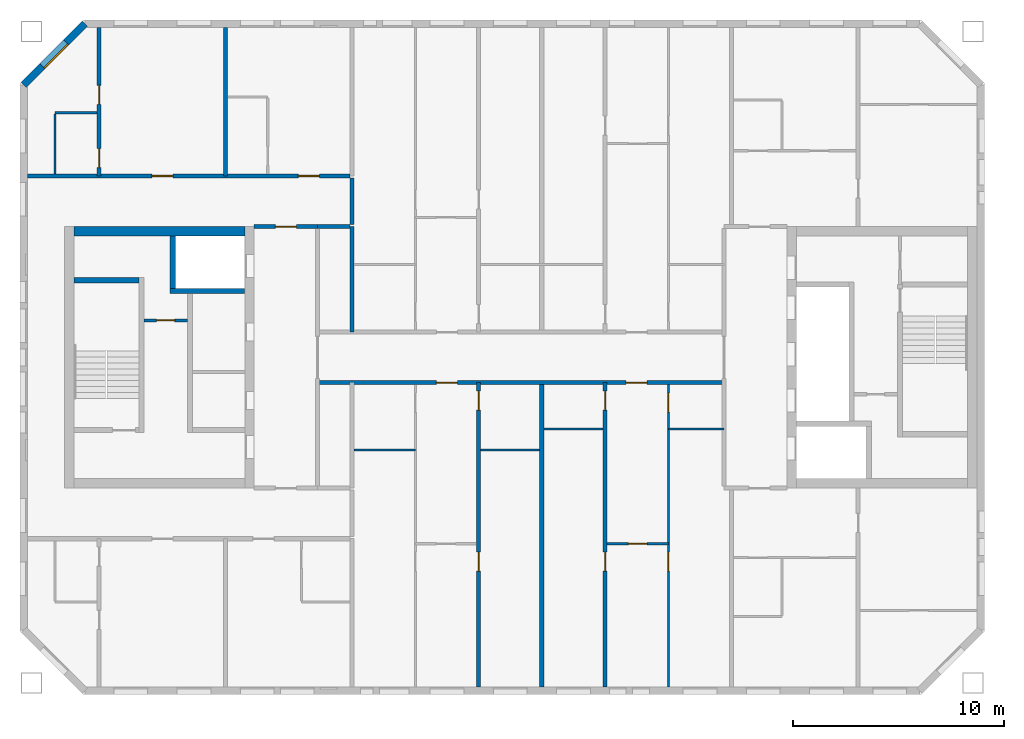
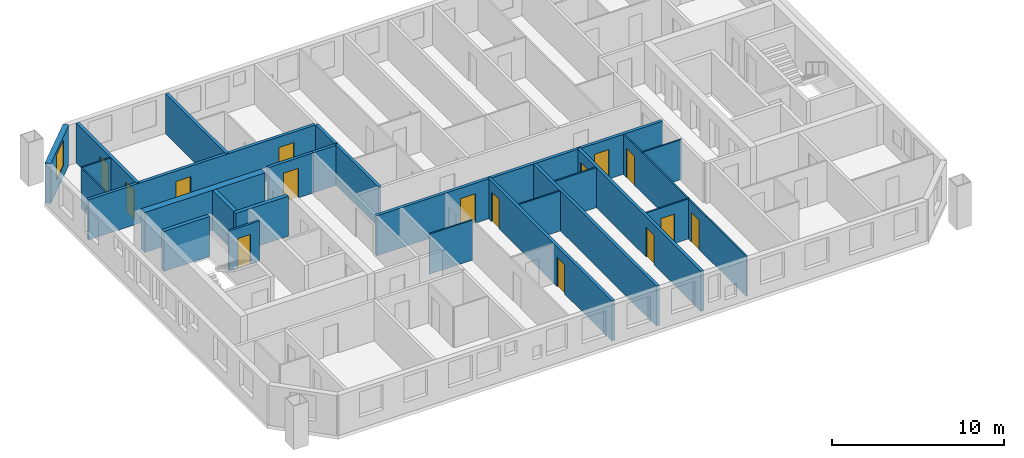
# One storey, part 4 of 15: 25 walls, 15 doors, 1 window, 16 openings.
"""IFC4 building model written with IfcOpenShell, lengths in metres."""

import ifcopenshell
import ifcopenshell.guid

model = None  # the IFC model being written
_history = None  # IfcOwnerHistory: only IFC2X3 demands one
_inside = {}  # id of a spatial element -> (the spatial element, [elements in it])
_under = {}  # id of a project, library or spatial element -> (it, [spatial elements below it])
_declared = {}  # id of a project -> (the project, [libraries it declares])
_typed = {}  # id of a type object -> (the type object, [elements of that type])
_made_of = {}  # id of a material, layer set ... -> (it, [elements and type objects made of it])


def new_model(schema):
    """Start an empty IFC model of exactly this schema.

    Asked for "IFC4X3", IfcOpenShell would pick the latest addendum, in which some entities
    have other attributes; the version numbers below select the first issue.
    IFC2X3 requires an IfcOwnerHistory on every rooted entity: one is made here for all.
    """
    global model, _history
    if schema == "IFC4X3":
        model = ifcopenshell.file(schema_version=(4, 3, 0, 0))
    else:
        model = ifcopenshell.file(schema=schema)
    _inside.clear()
    _under.clear()
    _declared.clear()
    _typed.clear()
    _made_of.clear()
    _history = None
    if model.schema == "IFC2X3":
        org = make("IfcOrganization", Name="unknown")
        user = make(
            "IfcPersonAndOrganization",
            ThePerson=make("IfcPerson", FamilyName="unknown"),
            TheOrganization=org,
        )
        app = make(
            "IfcApplication",
            ApplicationDeveloper=org,
            Version="unknown",
            ApplicationFullName="unknown",
            ApplicationIdentifier="unknown",
        )
        _history = make(
            "IfcOwnerHistory",
            OwningUser=user,
            OwningApplication=app,
            ChangeAction="ADDED",
            CreationDate=0,
        )
    return model


def make(cls, **values):
    """One entity of the class cls with the attributes given. An attribute that is None is left unset."""
    return model.create_entity(
        cls, **{name: value for name, value in values.items() if value is not None}
    )


def rooted(cls, **values):
    """An entity with a GlobalId (a new one), such as an element, a storey or a relation."""
    return make(cls, GlobalId=ifcopenshell.guid.new(), OwnerHistory=_history, **values)


def si_unit(unit_type, name, prefix=None):
    """IfcSIUnit, for example si_unit("LENGTHUNIT", "METRE", prefix="MILLI")."""
    return make("IfcSIUnit", UnitType=unit_type, Prefix=prefix, Name=name)


def assignment(units):
    """IfcUnitAssignment: the units of a project."""
    return None if units is None else make("IfcUnitAssignment", Units=units)


def point(xyz):
    """IfcCartesianPoint."""
    return None if xyz is None else make("IfcCartesianPoint", Coordinates=xyz)


def direction(xyz):
    """IfcDirection."""
    return None if xyz is None else make("IfcDirection", DirectionRatios=xyz)


def frame(location, z_axis=None, x_axis=None):
    """IfcAxis2Placement3D, a coordinate frame: its origin and axes. An axis left out is left unset."""
    return make(
        "IfcAxis2Placement3D",
        Location=point(location),
        Axis=direction(z_axis),
        RefDirection=direction(x_axis),
    )


def frame_2d(location, x_axis=None):
    """IfcAxis2Placement2D, a coordinate frame in the plane: its origin and x axis."""
    return make(
        "IfcAxis2Placement2D", Location=point(location), RefDirection=direction(x_axis)
    )


def origin():
    """The frame at (0, 0, 0) with its axes left unset."""
    return frame((0.0, 0.0, 0.0))


def place(relative_to, where):
    """IfcLocalPlacement: puts the frame where relative to a parent placement (None: the world)."""
    return make(
        "IfcLocalPlacement", PlacementRelTo=relative_to, RelativePlacement=where
    )


def context(
    kind, dimensions, precision=None, world=None, true_north=None, identifier=None
):
    """IfcGeometricRepresentationContext, for example the 3D "Model" context."""
    return make(
        "IfcGeometricRepresentationContext",
        ContextIdentifier=identifier,
        ContextType=kind,
        CoordinateSpaceDimension=dimensions,
        Precision=precision,
        WorldCoordinateSystem=world,
        TrueNorth=true_north,
    )


def subcontext(parent, identifier, kind, view, scale=None):
    """IfcGeometricRepresentationSubContext, for example "Body" below "Model"."""
    return make(
        "IfcGeometricRepresentationSubContext",
        ContextIdentifier=identifier,
        ContextType=kind,
        ParentContext=parent,
        TargetScale=scale,
        TargetView=view,
    )


def project(units=None, contexts=None):
    """IfcProject with its units and contexts."""
    return rooted(
        "IfcProject",
        Name="project",
        RepresentationContexts=contexts,
        UnitsInContext=assignment(units),
    )


def spatial(cls, under=None, at=None, **own):
    """A site, building, storey or space (cls), placed at a placement, below another one or the project."""
    s = rooted(cls, ObjectPlacement=at, **own)
    if under is not None:
        _under.setdefault(under.id(), (under, []))[1].append(s)
    return s


def profile(cls, at=None, kind="AREA", **sizes):
    """A parametric profile (cls). Its sizes go by their IFC names, for example OverallWidth=200.0."""
    return make(cls, ProfileType=kind, Position=at, **sizes)


def rectangle(**sizes):
    """IfcRectangleProfileDef."""
    return profile("IfcRectangleProfileDef", **sizes)


def extrude(swept, where, along, depth):
    """IfcExtrudedAreaSolid: the profile swept, set in the frame where, extruded along a direction by depth."""
    return make(
        "IfcExtrudedAreaSolid",
        SweptArea=swept,
        Position=where,
        ExtrudedDirection=direction(along),
        Depth=depth,
    )


def shape(context_of_items, identifier, shape_type, items):
    """IfcShapeRepresentation: the items that make up one representation, for example the "Body"."""
    return make(
        "IfcShapeRepresentation",
        ContextOfItems=context_of_items,
        RepresentationIdentifier=identifier,
        RepresentationType=shape_type,
        Items=items,
    )


def material(Name=None, Category=None):
    """IfcMaterial."""
    return make("IfcMaterial", Name=Name, Category=Category)


def layer(
    of_material, thickness, ventilated=None, Name=None, Category=None, Priority=None
):
    """IfcMaterialLayer: one layer of a wall or slab, of a material (None: an air gap)."""
    return make(
        "IfcMaterialLayer",
        Material=of_material,
        LayerThickness=thickness,
        IsVentilated=ventilated,
        Name=Name,
        Category=Category,
        Priority=Priority,
    )


def layer_set(layers, Name=None):
    """IfcMaterialLayerSet."""
    return make("IfcMaterialLayerSet", MaterialLayers=layers, LayerSetName=Name)


def made_of(thing, what):
    """Note that an element or type object is made of a material, layer set ...; save() writes the relation."""
    if what is not None:
        _made_of.setdefault(what.id(), (what, []))[1].append(thing)
    return thing


def type_object(cls, material=None, **own):
    """A type object (cls), such as IfcWallType, which elements share."""
    return made_of(rooted(cls, **own), material)


def element(
    cls,
    number,
    at=None,
    inside=None,
    cuts=None,
    type_object=None,
    material=None,
    context=None,
    identifier="Body",
    shape_type=None,
    held_by="IfcProductDefinitionShape",
    body=None,
    shapes=None,
    **own,
):
    """One element of the class cls, such as IfcWall. Its Tag is "e" and its number.

    at: its placement. inside: the storey or other place that contains it. cuts: it is an
    opening in that element (IfcRelVoidsElement). A single representation is given by context,
    identifier, shape_type and body (its items); several are given by shapes. held_by: the class
    of the entity that holds the representations. save() writes the other relations.
    """
    e = rooted(cls, Tag="e%d" % number, ObjectPlacement=at, **own)
    if body is not None:
        shapes = [shape(context, identifier, shape_type, body)]
    if shapes is not None:
        e.Representation = make(held_by, Representations=shapes)
    if inside is not None:
        _inside.setdefault(inside.id(), (inside, []))[1].append(e)
    if cuts is not None:
        rooted(
            "IfcRelVoidsElement", RelatingBuildingElement=cuts, RelatedOpeningElement=e
        )
    if type_object is not None:
        _typed.setdefault(type_object.id(), (type_object, []))[1].append(e)
    return made_of(e, material)


def fill(opening, filler):
    """IfcRelFillsElement: the door or window that sits in an opening."""
    return rooted(
        "IfcRelFillsElement",
        RelatingOpeningElement=opening,
        RelatedBuildingElement=filler,
    )


def aggregate(whole, parts):
    """IfcRelAggregates: a whole, such as a stair, and the parts it consists of."""
    return rooted("IfcRelAggregates", RelatingObject=whole, RelatedObjects=parts)


def save(model, path):
    """Write the relations noted so far, then the file.

    IfcRelAggregates (storeys below a building ...), IfcRelContainedInSpatialStructure (elements
    in a storey), IfcRelDefinesByType, IfcRelAssociatesMaterial and IfcRelDeclares: one each for
    every whole, place, type object, material and project.
    """
    for whole, parts in _under.values():
        aggregate(whole, parts)
    for where, things in _inside.values():
        rooted(
            "IfcRelContainedInSpatialStructure",
            RelatedElements=things,
            RelatingStructure=where,
        )
    for kind, things in _typed.values():
        rooted("IfcRelDefinesByType", RelatedObjects=things, RelatingType=kind)
    for what, things in _made_of.values():
        rooted("IfcRelAssociatesMaterial", RelatedObjects=things, RelatingMaterial=what)
    for by, libraries in _declared.values():
        rooted("IfcRelDeclares", RelatingContext=by, RelatedDefinitions=libraries)
    model.write(path)


model = new_model("IFC4")

# Units and contexts
model_context = context("Model", 3, precision=1e-05, world=origin(), true_north=direction((0.0, 1.0)))
body_context = subcontext(model_context, "Body", "Model", "MODEL_VIEW")
ifc_project = project(units=[si_unit("LENGTHUNIT", "METRE"), si_unit("AREAUNIT", "SQUARE_METRE"), si_unit("VOLUMEUNIT", "CUBIC_METRE"), si_unit("PLANEANGLEUNIT", "RADIAN"), si_unit("MASSUNIT", "GRAM", prefix="KILO")], contexts=[model_context])

# Site, building, storey
site_placement = place(None, origin())
site = spatial("IfcSite", under=ifc_project, at=site_placement, CompositionType="ELEMENT")
building_placement = place(site_placement, origin())
building = spatial("IfcBuilding", under=site, at=building_placement, Name="Tuart Gate Housing", CompositionType="ELEMENT")
storey_placement = place(building_placement, frame((0.0, 0.0, 185.10009765625)))
storey = spatial("IfcBuildingStorey", under=building, at=storey_placement, Name="L52", CompositionType="ELEMENT", Elevation=185.10009765625)

# Wall, opening, window
ifc_material_1 = material(Name="Brick", Category="masonry")
ifc_layer_1 = layer(ifc_material_1, 0.360107421875)
ifc_layer_set_1 = layer_set([ifc_layer_1], Name="Brick pier and spandrel wall 360")
wall_type_1 = type_object("IfcWallType", Name="Brick pier and spandrel wall 360", PredefinedType="STANDARD", material=ifc_layer_set_1)
wall_1_placement = place(storey_placement, frame((33.32470703125, 85.820068359375, 0.0), z_axis=(0.0, 0.0, 1.0), x_axis=(-0.707106781187, -0.707106781187, 0.0)))
wall_1 = element("IfcWall", 1, at=wall_1_placement, inside=storey, type_object=wall_type_1, Name="External wall A-NW L52", PredefinedType="STANDARD", context=body_context, shape_type="SweptSolid", body=[
    extrude(rectangle(XDim=4.09375, YDim=0.360107421875, at=frame_2d((2.046875, 0.0))), origin(), (0.0, 0.0, 1.0), 2.849853515625),
])
opening_1_placement = place(wall_1_placement, frame((1.2470703125, 0.0, 0.800048828125)))
opening_1 = element("IfcOpeningElement", 2, at=opening_1_placement, cuts=wall_1, Name="Opening W1", PredefinedType="OPENING", context=body_context, shape_type="SweptSolid", body=[
    extrude(rectangle(XDim=1.60009765625, YDim=1.800048828125, at=frame_2d((0.800048828125, 0.89990234375))), frame((0.0, 0.18994140625, 0.0), z_axis=(0.0, -1.0, 0.0), x_axis=(1.0, 0.0, 0.0)), (0.0, 0.0, 1.0), 0.380126953125),
])
ifc_material_2 = material(Name="Aluminium frame with clear glass", Category="aluminium")
window_type = type_object("IfcWindowType", Name="Punched window 1600 x 1800", PartitioningType="SINGLE_PANEL", PredefinedType="WINDOW", material=ifc_material_2)
window_placement = place(opening_1_placement, origin())
window = element("IfcWindow", 3, at=window_placement, inside=storey, type_object=window_type, Name="Window W1", OverallHeight=1.800048828125, OverallWidth=1.60009765625, PartitioningType="SINGLE_PANEL", PredefinedType="WINDOW", context=body_context, shape_type="SweptSolid", body=[
    extrude(rectangle(XDim=1.60009765625, YDim=1.800048828125, at=frame_2d((0.800048828125, 0.89990234375))), frame((0.0, 0.150146484375, 0.0), z_axis=(0.0, -1.0, 0.0), x_axis=(1.0, 0.0, 0.0)), (0.0, 0.0, 1.0), 0.06005859375),
])
fill(opening_1, window)

# Wall, opening, door
ifc_material_3 = material(Name="Plasterboard partition")
ifc_layer_2 = layer(ifc_material_3, 0.14990234375)
ifc_layer_set_2 = layer_set([ifc_layer_2], Name="Core partition 150")
wall_type_2 = type_object("IfcWallType", Name="Core partition 150", PredefinedType="PARTITIONING", material=ifc_layer_set_2)
wall_2_placement = place(storey_placement, frame((38.18505859375, 71.75, 0.0), z_axis=(0.0, 0.0, 1.0), x_axis=(-1.0, 0.0, 0.0)))
wall_2 = element("IfcWall", 4, at=wall_2_placement, inside=storey, type_object=wall_type_2, Name="Core partition AK.3", PredefinedType="PARTITIONING", context=body_context, shape_type="SweptSolid", body=[
    extrude(rectangle(XDim=2.050048828125, YDim=0.14990234375, at=frame_2d((1.02490234375, 0.0))), origin(), (0.0, 0.0, 1.0), 2.849853515625),
])
opening_2_placement = place(wall_2_placement, frame((0.60009765625, 0.0, 0.0)))
opening_2 = element("IfcOpeningElement", 5, at=opening_2_placement, cuts=wall_2, Name="Opening D1862", PredefinedType="OPENING", context=body_context, shape_type="SweptSolid", body=[
    extrude(rectangle(XDim=0.85009765625, YDim=2.10009765625, at=frame_2d((0.425048828125, 1.050048828125))), frame((0.0, 0.0849609375, 0.0), z_axis=(0.0, -1.0, 0.0), x_axis=(1.0, 0.0, 0.0)), (0.0, 0.0, 1.0), 0.169921875),
])
ifc_material_4 = material(Name="Steel fire door", Category="steel")
door_type_1 = type_object("IfcDoorType", Name="Riser door 850 x 2100 RH", OperationType="SINGLE_SWING_RIGHT", PredefinedType="DOOR", material=ifc_material_4)
door_1_placement = place(opening_2_placement, frame((0.85009765625, 0.0, 0.0), z_axis=(0.0, 0.0, 1.0), x_axis=(-1.0, 0.0, 0.0)))
door_1 = element("IfcDoor", 6, at=door_1_placement, inside=storey, type_object=door_type_1, Name="Service room door AK.E1", OperationType="SINGLE_SWING_RIGHT", OverallHeight=2.10009765625, OverallWidth=0.85009765625, PredefinedType="DOOR", context=body_context, shape_type="SweptSolid", body=[
    extrude(rectangle(XDim=0.85009765625, YDim=2.10009765625, at=frame_2d((0.425048828125, 1.050048828125))), frame((0.0, 0.025146484375, 0.0), z_axis=(0.0, -1.0, 0.0), x_axis=(1.0, 0.0, 0.0)), (0.0, 0.0, 1.0), 0.050048828125),
])
fill(opening_2, door_1)

# Walls
ifc_material_5 = material(Name="Concrete C40", Category="concrete")
ifc_layer_3 = layer(ifc_material_5, 0.25)
ifc_layer_set_3 = layer_set([ifc_layer_3], Name="Core wall 250 C40")
wall_type_3 = type_object("IfcWallType", Name="Core wall 250 C40", PredefinedType="SHEAR", material=ifc_layer_set_3)
wall_3_placement = place(storey_placement, frame((35.885009765625, 73.64990234375, 0.0), z_axis=(0.0, 0.0, 1.0), x_axis=(-1.0, 0.0, 0.0)))
element("IfcWall", 7, at=wall_3_placement, inside=storey, type_object=wall_type_3, Name="Core wall AK.1", PredefinedType="SHEAR", context=body_context, shape_type="SweptSolid", body=[
    extrude(rectangle(XDim=3.074951171875, YDim=0.25, at=frame_2d((1.53759765625, 0.0))), origin(), (0.0, 0.0, 1.0), 2.849853515625),
])
wall_4_placement = place(storey_placement, frame((40.909912109375, 73.14990234375, 0.0), z_axis=(0.0, 0.0, 1.0), x_axis=(-1.0, 0.0, 0.0)))
element("IfcWall", 8, at=wall_4_placement, inside=storey, type_object=wall_type_3, Name="Core wall AK.2", PredefinedType="SHEAR", context=body_context, shape_type="SweptSolid", body=[
    extrude(rectangle(XDim=3.544921875, YDim=0.25, at=frame_2d((1.7724609375, 0.0))), origin(), (0.0, 0.0, 1.0), 2.849853515625),
])
wall_5_placement = place(storey_placement, frame((37.489990234375, 75.75, 0.0), z_axis=(0.0, 0.0, 1.0), x_axis=(0.0, -1.0, 0.0)))
element("IfcWall", 9, at=wall_5_placement, inside=storey, type_object=wall_type_3, Name="Core wall AK.8", PredefinedType="SHEAR", context=body_context, shape_type="SweptSolid", body=[
    extrude(rectangle(XDim=2.47509765625, YDim=0.25, at=frame_2d((1.237548828125, 0.0))), origin(), (0.0, 0.0, 1.0), 2.849853515625),
])
ifc_material_6 = material(Name="Concrete C40", Category="concrete")
ifc_layer_4 = layer(ifc_material_6, 0.449951171875)
ifc_layer_set_4 = layer_set([ifc_layer_4], Name="Core wall 450 C40")
wall_type_4 = type_object("IfcWallType", Name="Core wall 450 C40", PredefinedType="SHEAR", material=ifc_layer_set_4)
wall_6_placement = place(storey_placement, frame((40.909912109375, 75.97509765625, 0.0), z_axis=(0.0, 0.0, 1.0), x_axis=(-1.0, 0.0, 0.0)))
element("IfcWall", 10, at=wall_6_placement, inside=storey, type_object=wall_type_4, Name="Core wall AK south", PredefinedType="SHEAR", context=body_context, shape_type="SweptSolid", body=[
    extrude(rectangle(XDim=8.099853515625, YDim=0.449951171875, at=frame_2d((4.0498046875, 0.0))), origin(), (0.0, 0.0, 1.0), 2.849853515625),
])

# Wall, openings, doors
ifc_material_7 = material(Name="Concrete masonry 15 MPa", Category="masonry")
ifc_layer_5 = layer(ifc_material_7, 0.199951171875)
ifc_layer_set_5 = layer_set([ifc_layer_5], Name="Corridor wall masonry 200")
wall_type_5 = type_object("IfcWallType", Name="Corridor wall masonry 200", PredefinedType="PARTITIONING", material=ifc_layer_set_5)
wall_7_placement = place(storey_placement, frame((44.360107421875, 68.800048828125, 0.0), z_axis=(0.0, 0.0, 1.0), x_axis=(1.0, 0.0, 0.0)))
wall_7 = element("IfcWall", 11, at=wall_7_placement, inside=storey, type_object=wall_type_5, Name="Corridor wall masonry 200", PredefinedType="PARTITIONING", context=body_context, shape_type="SweptSolid", body=[
    extrude(rectangle(XDim=19.27978515625, YDim=0.199951171875, at=frame_2d((9.639892578125, 0.0))), origin(), (0.0, 0.0, 1.0), 2.849853515625),
])
opening_3_placement = place(wall_7_placement, frame((14.639892578125, 0.0, 0.0)))
opening_3 = element("IfcOpeningElement", 12, at=opening_3_placement, cuts=wall_7, Name="Opening D1872", PredefinedType="OPENING", context=body_context, shape_type="SweptSolid", body=[
    extrude(rectangle(XDim=1.0, YDim=2.10009765625, at=frame_2d((0.5, 1.050048828125))), frame((0.0, 0.10986328125, 0.0), z_axis=(0.0, -1.0, 0.0), x_axis=(1.0, 0.0, 0.0)), (0.0, 0.0, 1.0), 0.219970703125),
])
opening_4_placement = place(wall_7_placement, frame((5.639892578125, 0.0, 0.0)))
opening_4 = element("IfcOpeningElement", 13, at=opening_4_placement, cuts=wall_7, Name="Opening D1873", PredefinedType="OPENING", context=body_context, shape_type="SweptSolid", body=[
    extrude(rectangle(XDim=1.0, YDim=2.10009765625, at=frame_2d((0.5, 1.050048828125))), frame((0.0, 0.10986328125, 0.0), z_axis=(0.0, -1.0, 0.0), x_axis=(1.0, 0.0, 0.0)), (0.0, 0.0, 1.0), 0.219970703125),
])
ifc_material_8 = material(Name="Timber door leaf in steel frame", Category="steel")
door_type_2 = type_object("IfcDoorType", Name="Flat entrance door 1000 RH", OperationType="SINGLE_SWING_RIGHT", PredefinedType="DOOR", material=ifc_material_8)
door_2_placement = place(opening_3_placement, frame((1.0, 0.0, 0.0), z_axis=(0.0, 0.0, 1.0), x_axis=(-1.0, 0.0, 0.0)))
door_2 = element("IfcDoor", 14, at=door_2_placement, inside=storey, type_object=door_type_2, Name="Flat entrance door", OperationType="SINGLE_SWING_RIGHT", OverallHeight=2.10009765625, OverallWidth=1.0, PredefinedType="DOOR", context=body_context, shape_type="SweptSolid", body=[
    extrude(rectangle(XDim=1.0, YDim=2.10009765625, at=frame_2d((0.5, 1.050048828125))), frame((0.0, 0.025146484375, 0.0), z_axis=(0.0, -1.0, 0.0), x_axis=(1.0, 0.0, 0.0)), (0.0, 0.0, 1.0), 0.050048828125),
])
fill(opening_3, door_2)
door_3_placement = place(opening_4_placement, frame((1.0, 0.0, 0.0), z_axis=(0.0, 0.0, 1.0), x_axis=(-1.0, 0.0, 0.0)))
door_3 = element("IfcDoor", 15, at=door_3_placement, inside=storey, type_object=door_type_2, Name="Flat entrance door", OperationType="SINGLE_SWING_RIGHT", OverallHeight=2.10009765625, OverallWidth=1.0, PredefinedType="DOOR", context=body_context, shape_type="SweptSolid", body=[
    extrude(rectangle(XDim=1.0, YDim=2.10009765625, at=frame_2d((0.5, 1.050048828125))), frame((0.0, 0.025146484375, 0.0), z_axis=(0.0, -1.0, 0.0), x_axis=(1.0, 0.0, 0.0)), (0.0, 0.0, 1.0), 0.050048828125),
])
fill(opening_4, door_3)

# Wall
wall_8_placement = place(storey_placement, frame((44.360107421875, 76.199951171875, 0.0), z_axis=(0.0, 0.0, 1.0), x_axis=(1.0, 0.0, 0.0)))
element("IfcWall", 16, at=wall_8_placement, inside=storey, type_object=wall_type_5, Name="Corridor wall masonry 200", PredefinedType="PARTITIONING", context=body_context, shape_type="SweptSolid", body=[
    extrude(rectangle(XDim=1.539794921875, YDim=0.199951171875, at=frame_2d((0.77001953125, 0.0))), origin(), (0.0, 0.0, 1.0), 2.849853515625),
])

# Wall, openings, doors
wall_9_placement = place(storey_placement, frame((30.610107421875, 78.60009765625, 0.0), z_axis=(0.0, 0.0, 1.0), x_axis=(1.0, 0.0, 0.0)))
wall_9 = element("IfcWall", 17, at=wall_9_placement, inside=storey, type_object=wall_type_5, Name="Corridor wall masonry 200", PredefinedType="PARTITIONING", context=body_context, shape_type="SweptSolid", body=[
    extrude(rectangle(XDim=15.289794921875, YDim=0.199951171875, at=frame_2d((7.64501953125, 0.0))), origin(), (0.0, 0.0, 1.0), 2.849853515625),
])
opening_5_placement = place(wall_9_placement, frame((12.840087890625, 0.0, 0.0)))
opening_5 = element("IfcOpeningElement", 18, at=opening_5_placement, cuts=wall_9, Name="Opening D1848", PredefinedType="OPENING", context=body_context, shape_type="SweptSolid", body=[
    extrude(rectangle(XDim=1.0, YDim=2.10009765625, at=frame_2d((0.5, 1.050048828125))), frame((0.0, 0.10986328125, 0.0), z_axis=(0.0, -1.0, 0.0), x_axis=(1.0, 0.0, 0.0)), (0.0, 0.0, 1.0), 0.219970703125),
])
opening_6_placement = place(wall_9_placement, frame((5.889892578125, 0.0, 0.0)))
opening_6 = element("IfcOpeningElement", 19, at=opening_6_placement, cuts=wall_9, Name="Opening D1849", PredefinedType="OPENING", context=body_context, shape_type="SweptSolid", body=[
    extrude(rectangle(XDim=1.0, YDim=2.10009765625, at=frame_2d((0.5, 1.050048828125))), frame((0.0, 0.10986328125, 0.0), z_axis=(0.0, -1.0, 0.0), x_axis=(1.0, 0.0, 0.0)), (0.0, 0.0, 1.0), 0.219970703125),
])
ifc_material_9 = material(Name="Timber door leaf in steel frame", Category="steel")
door_type_3 = type_object("IfcDoorType", Name="Flat entrance door 1000", OperationType="SINGLE_SWING_LEFT", PredefinedType="DOOR", material=ifc_material_9)
door_4_placement = place(opening_5_placement, origin())
door_4 = element("IfcDoor", 20, at=door_4_placement, inside=storey, type_object=door_type_3, Name="Flat entrance door", OperationType="SINGLE_SWING_LEFT", OverallHeight=2.10009765625, OverallWidth=1.0, PredefinedType="DOOR", context=body_context, shape_type="SweptSolid", body=[
    extrude(rectangle(XDim=1.0, YDim=2.10009765625, at=frame_2d((0.5, 1.050048828125))), frame((0.0, 0.02490234375, 0.0), z_axis=(0.0, -1.0, 0.0), x_axis=(1.0, 0.0, 0.0)), (0.0, 0.0, 1.0), 0.050048828125),
])
fill(opening_5, door_4)
door_5_placement = place(opening_6_placement, origin())
door_5 = element("IfcDoor", 21, at=door_5_placement, inside=storey, type_object=door_type_3, Name="Flat entrance door", OperationType="SINGLE_SWING_LEFT", OverallHeight=2.10009765625, OverallWidth=1.0, PredefinedType="DOOR", context=body_context, shape_type="SweptSolid", body=[
    extrude(rectangle(XDim=1.0, YDim=2.10009765625, at=frame_2d((0.5, 1.050048828125))), frame((0.0, 0.02490234375, 0.0), z_axis=(0.0, -1.0, 0.0), x_axis=(1.0, 0.0, 0.0)), (0.0, 0.0, 1.0), 0.050048828125),
])
fill(opening_6, door_5)

# Wall
wall_10_placement = place(storey_placement, frame((46.0, 76.300048828125, 0.0), z_axis=(0.0, 0.0, 1.0), x_axis=(0.0, 1.0, 0.0)))
element("IfcWall", 22, at=wall_10_placement, inside=storey, type_object=wall_type_5, Name="Corridor wall masonry 200", PredefinedType="PARTITIONING", context=body_context, shape_type="SweptSolid", body=[
    extrude(rectangle(XDim=2.199951171875, YDim=0.199951171875, at=frame_2d((1.10009765625, 0.0))), origin(), (0.0, 0.0, 1.0), 2.849853515625),
])

# Wall, opening, door
ifc_material_10 = material(Name="Concrete masonry 15 MPa", Category="masonry")
ifc_layer_6 = layer(ifc_material_10, 0.199951171875)
ifc_layer_set_6 = layer_set([ifc_layer_6], Name="Enclosure wall masonry 200")
wall_type_6 = type_object("IfcWallType", Name="Enclosure wall masonry 200", PredefinedType="PARTITIONING", material=ifc_layer_set_6)
wall_11_placement = place(storey_placement, frame((41.360107421875, 76.199951171875, 0.0), z_axis=(0.0, 0.0, 1.0), x_axis=(1.0, 0.0, 0.0)))
wall_11 = element("IfcWall", 23, at=wall_11_placement, inside=storey, type_object=wall_type_6, Name="Enclosure wall masonry 200", PredefinedType="PARTITIONING", context=body_context, shape_type="SweptSolid", body=[
    extrude(rectangle(XDim=3.0, YDim=0.199951171875, at=frame_2d((1.5, 0.0))), origin(), (0.0, 0.0, 1.0), 2.849853515625),
])
opening_7_placement = place(wall_11_placement, frame((1.0, 0.0, 0.0)))
opening_7 = element("IfcOpeningElement", 24, at=opening_7_placement, cuts=wall_11, Name="Opening D1859", PredefinedType="OPENING", context=body_context, shape_type="SweptSolid", body=[
    extrude(rectangle(XDim=1.0, YDim=2.10009765625, at=frame_2d((0.5, 1.050048828125))), frame((0.0, 0.10986328125, 0.0), z_axis=(0.0, -1.0, 0.0), x_axis=(1.0, 0.0, 0.0)), (0.0, 0.0, 1.0), 0.219970703125),
])
ifc_material_11 = material(Name="Timber door leaf in steel frame", Category="steel")
door_type_4 = type_object("IfcDoorType", Name="Fire door 1000 RH", OperationType="SINGLE_SWING_RIGHT", PredefinedType="DOOR", material=ifc_material_11)
door_6_placement = place(opening_7_placement, origin())
door_6 = element("IfcDoor", 25, at=door_6_placement, inside=storey, type_object=door_type_4, Name="Fire door", OperationType="SINGLE_SWING_RIGHT", OverallHeight=2.10009765625, OverallWidth=1.0, PredefinedType="DOOR", context=body_context, shape_type="SweptSolid", body=[
    extrude(rectangle(XDim=1.0, YDim=2.10009765625, at=frame_2d((0.5, 1.050048828125))), frame((0.0, 0.02490234375, 0.0), z_axis=(0.0, -1.0, 0.0), x_axis=(1.0, 0.0, 0.0)), (0.0, 0.0, 1.0), 0.050048828125),
])
fill(opening_7, door_6)

ifc_material_12 = material(Name="Gypsum board on steel studs", Category="steel")
ifc_layer_7 = layer(ifc_material_12, 0.10009765625)
ifc_layer_set_7 = layer_set([ifc_layer_7], Name="Partition 100")
wall_type_7 = type_object("IfcWallType", Name="Partition 100", PredefinedType="PARTITIONING", material=ifc_layer_set_7)
wall_12_placement = place(storey_placement, frame((58.10009765625, 61.159912109375, 0.0), z_axis=(0.0, 0.0, 1.0), x_axis=(1.0, 0.0, 0.0)))
wall_12 = element("IfcWall", 26, at=wall_12_placement, inside=storey, type_object=wall_type_7, Name="Partition 100", PredefinedType="PARTITIONING", context=body_context, shape_type="SweptSolid", body=[
    extrude(rectangle(XDim=2.89990234375, YDim=0.10009765625, at=frame_2d((1.449951171875, 0.0))), origin(), (0.0, 0.0, 1.0), 2.849853515625),
])
opening_8_placement = place(wall_12_placement, frame((1.0, 0.0, 0.0)))
opening_8 = element("IfcOpeningElement", 27, at=opening_8_placement, cuts=wall_12, Name="Opening D1889", PredefinedType="OPENING", context=body_context, shape_type="SweptSolid", body=[
    extrude(rectangle(XDim=0.89990234375, YDim=2.10009765625, at=frame_2d((0.449951171875, 1.050048828125))), frame((0.0, 0.06005859375, 0.0), z_axis=(0.0, -1.0, 0.0), x_axis=(1.0, 0.0, 0.0)), (0.0, 0.0, 1.0), 0.1201171875),
])
ifc_material_13 = material(Name="Timber door leaf in steel frame", Category="steel")
door_type_5 = type_object("IfcDoorType", Name="Internal door 900 RH", OperationType="SINGLE_SWING_RIGHT", PredefinedType="DOOR", material=ifc_material_13)
door_7_placement = place(opening_8_placement, origin())
door_7 = element("IfcDoor", 28, at=door_7_placement, inside=storey, type_object=door_type_5, Name="Internal door", OperationType="SINGLE_SWING_RIGHT", OverallHeight=2.10009765625, OverallWidth=0.89990234375, PredefinedType="DOOR", context=body_context, shape_type="SweptSolid", body=[
    extrude(rectangle(XDim=0.89990234375, YDim=2.10009765625, at=frame_2d((0.449951171875, 1.050048828125))), frame((0.0, 0.02490234375, 0.0), z_axis=(0.0, -1.0, 0.0), x_axis=(1.0, 0.0, 0.0)), (0.0, 0.0, 1.0), 0.050048828125),
])
fill(opening_8, door_7)

# Walls
wall_13_placement = place(storey_placement, frame((46.10009765625, 65.60009765625, 0.0), z_axis=(0.0, 0.0, 1.0), x_axis=(1.0, 0.0, 0.0)))
element("IfcWall", 29, at=wall_13_placement, inside=storey, type_object=wall_type_7, Name="Partition 100", PredefinedType="PARTITIONING", context=body_context, shape_type="SweptSolid", body=[
    extrude(rectangle(XDim=2.89990234375, YDim=0.10009765625, at=frame_2d((1.449951171875, 0.0))), origin(), (0.0, 0.0, 1.0), 2.849853515625),
])
for number, where, z_axis, x_axis, name in (
    (30, (52.10009765625, 65.60009765625, 0.0), (0.0, 0.0, 1.0), (1.0, 0.0, 0.0), "Partition 100"),
    (31, (55.10009765625, 66.60009765625, 0.0), (0.0, 0.0, 1.0), (1.0, 0.0, 0.0), "Partition 100"),
):
    element("IfcWall", number, at=place(storey_placement, frame(where, z_axis=z_axis, x_axis=x_axis)), inside=storey, type_object=wall_type_7, Name=name, PredefinedType="PARTITIONING", context=body_context, shape_type="SweptSolid", body=[
        extrude(rectangle(XDim=2.7998046875, YDim=0.10009765625, at=frame_2d((1.39990234375, 0.0))), origin(), (0.0, 0.0, 1.0), 2.849853515625),
    ])
wall_14_placement = place(storey_placement, frame((61.0, 66.60009765625, 0.0), z_axis=(0.0, 0.0, 1.0), x_axis=(1.0, 0.0, 0.0)))
element("IfcWall", 32, at=wall_14_placement, inside=storey, type_object=wall_type_7, Name="Partition 100", PredefinedType="PARTITIONING", context=body_context, shape_type="SweptSolid", body=[
    extrude(rectangle(XDim=2.639892578125, YDim=0.10009765625, at=frame_2d((1.31982421875, 0.0))), origin(), (0.0, 0.0, 1.0), 2.849853515625),
])
wall_15_placement = place(storey_placement, frame((31.909912109375, 81.60009765625, 0.0), z_axis=(0.0, 0.0, 1.0), x_axis=(1.0, 0.0, 0.0)))
element("IfcWall", 33, at=wall_15_placement, inside=storey, type_object=wall_type_7, Name="Partition 100", PredefinedType="PARTITIONING", context=body_context, shape_type="SweptSolid", body=[
    extrude(rectangle(XDim=1.989990234375, YDim=0.10009765625, at=frame_2d((0.9951171875, 0.0))), origin(), (0.0, 0.0, 1.0), 2.849853515625),
])
wall_16_placement = place(storey_placement, frame((31.909912109375, 78.699951171875, 0.0), z_axis=(0.0, 0.0, 1.0), x_axis=(0.0, 1.0, 0.0)))
element("IfcWall", 34, at=wall_16_placement, inside=storey, type_object=wall_type_7, Name="Partition 100", PredefinedType="PARTITIONING", context=body_context, shape_type="SweptSolid", body=[
    extrude(rectangle(XDim=2.85009765625, YDim=0.10009765625, at=frame_2d((1.425048828125, 0.0))), origin(), (0.0, 0.0, 1.0), 2.849853515625),
])

# Wall, openings, doors
wall_17_placement = place(storey_placement, frame((61.0, 54.360107421875, 0.0), z_axis=(0.0, 0.0, 1.0), x_axis=(0.0, 1.0, 0.0)))
wall_17 = element("IfcWall", 35, at=wall_17_placement, inside=storey, type_object=wall_type_7, Name="Partition 100", PredefinedType="PARTITIONING", context=body_context, shape_type="SweptSolid", body=[
    extrude(rectangle(XDim=14.33984375, YDim=0.10009765625, at=frame_2d((7.169921875, 0.0))), origin(), (0.0, 0.0, 1.0), 2.849853515625),
])
opening_9_placement = place(wall_17_placement, frame((5.5, 0.0, 0.0)))
opening_9 = element("IfcOpeningElement", 36, at=opening_9_placement, cuts=wall_17, Name="Opening D1885", PredefinedType="OPENING", context=body_context, shape_type="SweptSolid", body=[
    extrude(rectangle(XDim=0.89990234375, YDim=2.10009765625, at=frame_2d((0.449951171875, 1.050048828125))), frame((0.0, 0.06005859375, 0.0), z_axis=(0.0, -1.0, 0.0), x_axis=(1.0, 0.0, 0.0)), (0.0, 0.0, 1.0), 0.1201171875),
])
opening_10_placement = place(wall_17_placement, frame((13.0400390625, 0.0, 0.0)))
opening_10 = element("IfcOpeningElement", 37, at=opening_10_placement, cuts=wall_17, Name="Opening D1884", PredefinedType="OPENING", context=body_context, shape_type="SweptSolid", body=[
    extrude(rectangle(XDim=0.89990234375, YDim=2.10009765625, at=frame_2d((0.449951171875, 1.050048828125))), frame((0.0, 0.06005859375, 0.0), z_axis=(0.0, -1.0, 0.0), x_axis=(1.0, 0.0, 0.0)), (0.0, 0.0, 1.0), 0.1201171875),
])
ifc_material_14 = material(Name="Timber door leaf in steel frame", Category="steel")
door_type_6 = type_object("IfcDoorType", Name="Bathroom door 900", OperationType="SINGLE_SWING_LEFT", PredefinedType="DOOR", material=ifc_material_14)
door_8_placement = place(opening_10_placement, frame((0.89990234375, 0.0, 0.0), z_axis=(0.0, 0.0, 1.0), x_axis=(-1.0, 0.0, 0.0)))
door_8 = element("IfcDoor", 38, at=door_8_placement, inside=storey, type_object=door_type_6, Name="Bathroom door", OperationType="SINGLE_SWING_LEFT", OverallHeight=2.10009765625, OverallWidth=0.89990234375, PredefinedType="DOOR", context=body_context, shape_type="SweptSolid", body=[
    extrude(rectangle(XDim=0.89990234375, YDim=2.10009765625, at=frame_2d((0.449951171875, 1.050048828125))), frame((0.0, 0.025146484375, 0.0), z_axis=(0.0, -1.0, 0.0), x_axis=(1.0, 0.0, 0.0)), (0.0, 0.0, 1.0), 0.050048828125),
])
fill(opening_10, door_8)
door_9_placement = place(opening_9_placement, frame((0.89990234375, 0.0, 0.0), z_axis=(0.0, 0.0, 1.0), x_axis=(-1.0, 0.0, 0.0)))
door_9 = element("IfcDoor", 39, at=door_9_placement, inside=storey, type_object=door_type_5, Name="Internal door", OperationType="SINGLE_SWING_RIGHT", OverallHeight=2.10009765625, OverallWidth=0.89990234375, PredefinedType="DOOR", context=body_context, shape_type="SweptSolid", body=[
    extrude(rectangle(XDim=0.89990234375, YDim=2.10009765625, at=frame_2d((0.449951171875, 1.050048828125))), frame((0.0, 0.025146484375, 0.0), z_axis=(0.0, -1.0, 0.0), x_axis=(1.0, 0.0, 0.0)), (0.0, 0.0, 1.0), 0.050048828125),
])
fill(opening_9, door_9)

ifc_material_15 = material(Name="Concrete C40", Category="concrete")
ifc_layer_8 = layer(ifc_material_15, 0.199951171875)
ifc_layer_set_8 = layer_set([ifc_layer_8], Name="Party wall concrete C40 200")
wall_type_8 = type_object("IfcWallType", Name="Party wall concrete C40 200", PredefinedType="SOLIDWALL", material=ifc_layer_set_8)
wall_18_placement = place(storey_placement, frame((34.0, 78.60009765625, 0.0), z_axis=(0.0, 0.0, 1.0), x_axis=(0.0, 1.0, 0.0)))
wall_18 = element("IfcWall", 40, at=wall_18_placement, inside=storey, type_object=wall_type_8, Name="Party wall concrete C40 200", PredefinedType="SOLIDWALL", context=body_context, shape_type="SweptSolid", body=[
    extrude(rectangle(XDim=7.039794921875, YDim=0.199951171875, at=frame_2d((3.52001953125, 0.0))), origin(), (0.0, 0.0, 1.0), 2.849853515625),
])
opening_11_placement = place(wall_18_placement, frame((3.39990234375, 0.0, 0.0)))
opening_11 = element("IfcOpeningElement", 41, at=opening_11_placement, cuts=wall_18, Name="Opening D1841", PredefinedType="OPENING", context=body_context, shape_type="SweptSolid", body=[
    extrude(rectangle(XDim=0.89990234375, YDim=2.10009765625, at=frame_2d((0.449951171875, 1.050048828125))), frame((0.0, 0.10986328125, 0.0), z_axis=(0.0, -1.0, 0.0), x_axis=(1.0, 0.0, 0.0)), (0.0, 0.0, 1.0), 0.219970703125),
])
opening_12_placement = place(wall_18_placement, frame((0.39990234375, 0.0, 0.0)))
opening_12 = element("IfcOpeningElement", 42, at=opening_12_placement, cuts=wall_18, Name="Opening D1840", PredefinedType="OPENING", context=body_context, shape_type="SweptSolid", body=[
    extrude(rectangle(XDim=0.89990234375, YDim=2.10009765625, at=frame_2d((0.449951171875, 1.050048828125))), frame((0.0, 0.10986328125, 0.0), z_axis=(0.0, -1.0, 0.0), x_axis=(1.0, 0.0, 0.0)), (0.0, 0.0, 1.0), 0.219970703125),
])
door_10_placement = place(opening_12_placement, origin())
door_10 = element("IfcDoor", 43, at=door_10_placement, inside=storey, type_object=door_type_6, Name="Bathroom door", OperationType="SINGLE_SWING_LEFT", OverallHeight=2.10009765625, OverallWidth=0.89990234375, PredefinedType="DOOR", context=body_context, shape_type="SweptSolid", body=[
    extrude(rectangle(XDim=0.89990234375, YDim=2.10009765625, at=frame_2d((0.449951171875, 1.050048828125))), frame((0.0, 0.02490234375, 0.0), z_axis=(0.0, -1.0, 0.0), x_axis=(1.0, 0.0, 0.0)), (0.0, 0.0, 1.0), 0.050048828125),
])
fill(opening_12, door_10)
ifc_material_16 = material(Name="Timber door leaf in steel frame", Category="steel")
door_type_7 = type_object("IfcDoorType", Name="Internal door 900", OperationType="SINGLE_SWING_LEFT", PredefinedType="DOOR", material=ifc_material_16)
door_11_placement = place(opening_11_placement, origin())
door_11 = element("IfcDoor", 44, at=door_11_placement, inside=storey, type_object=door_type_7, Name="Internal door", OperationType="SINGLE_SWING_LEFT", OverallHeight=2.10009765625, OverallWidth=0.89990234375, PredefinedType="DOOR", context=body_context, shape_type="SweptSolid", body=[
    extrude(rectangle(XDim=0.89990234375, YDim=2.10009765625, at=frame_2d((0.449951171875, 1.050048828125))), frame((0.0, 0.02490234375, 0.0), z_axis=(0.0, -1.0, 0.0), x_axis=(1.0, 0.0, 0.0)), (0.0, 0.0, 1.0), 0.050048828125),
])
fill(opening_11, door_11)

# Walls
wall_19_placement = place(storey_placement, frame((40.0, 78.60009765625, 0.0), z_axis=(0.0, 0.0, 1.0), x_axis=(0.0, 1.0, 0.0)))
element("IfcWall", 45, at=wall_19_placement, inside=storey, type_object=wall_type_8, Name="Party wall concrete C40 200", PredefinedType="SOLIDWALL", context=body_context, shape_type="SweptSolid", body=[
    extrude(rectangle(XDim=7.039794921875, YDim=0.199951171875, at=frame_2d((3.52001953125, 0.0))), origin(), (0.0, 0.0, 1.0), 2.849853515625),
])
wall_20_placement = place(storey_placement, frame((46.0, 71.199951171875, 0.0), z_axis=(0.0, 0.0, 1.0), x_axis=(0.0, 1.0, 0.0)))
element("IfcWall", 46, at=wall_20_placement, inside=storey, type_object=wall_type_8, Name="Party wall concrete C40 200", PredefinedType="SOLIDWALL", context=body_context, shape_type="SweptSolid", body=[
    extrude(rectangle(XDim=5.0, YDim=0.199951171875, at=frame_2d((2.5, 0.0))), origin(), (0.0, 0.0, 1.0), 2.849853515625),
])

# Wall, openings, doors
wall_21_placement = place(storey_placement, frame((52.0, 54.360107421875, 0.0), z_axis=(0.0, 0.0, 1.0), x_axis=(0.0, 1.0, 0.0)))
wall_21 = element("IfcWall", 47, at=wall_21_placement, inside=storey, type_object=wall_type_8, Name="Party wall concrete C40 200", PredefinedType="SOLIDWALL", context=body_context, shape_type="SweptSolid", body=[
    extrude(rectangle(XDim=14.43994140625, YDim=0.199951171875, at=frame_2d((7.219970703125, 0.0))), origin(), (0.0, 0.0, 1.0), 2.849853515625),
])
opening_13_placement = place(wall_21_placement, frame((5.5, 0.0, 0.0)))
opening_13 = element("IfcOpeningElement", 48, at=opening_13_placement, cuts=wall_21, Name="Opening D1879", PredefinedType="OPENING", context=body_context, shape_type="SweptSolid", body=[
    extrude(rectangle(XDim=0.89990234375, YDim=2.10009765625, at=frame_2d((0.449951171875, 1.050048828125))), frame((0.0, 0.10986328125, 0.0), z_axis=(0.0, -1.0, 0.0), x_axis=(1.0, 0.0, 0.0)), (0.0, 0.0, 1.0), 0.219970703125),
])
opening_14_placement = place(wall_21_placement, frame((13.139892578125, 0.0, 0.0)))
opening_14 = element("IfcOpeningElement", 49, at=opening_14_placement, cuts=wall_21, Name="Opening D1878", PredefinedType="OPENING", context=body_context, shape_type="SweptSolid", body=[
    extrude(rectangle(XDim=0.89990234375, YDim=2.10009765625, at=frame_2d((0.449951171875, 1.050048828125))), frame((0.0, 0.10986328125, 0.0), z_axis=(0.0, -1.0, 0.0), x_axis=(1.0, 0.0, 0.0)), (0.0, 0.0, 1.0), 0.219970703125),
])
door_12_placement = place(opening_14_placement, frame((0.89990234375, 0.0, 0.0), z_axis=(0.0, 0.0, 1.0), x_axis=(-1.0, 0.0, 0.0)))
door_12 = element("IfcDoor", 50, at=door_12_placement, inside=storey, type_object=door_type_6, Name="Bathroom door", OperationType="SINGLE_SWING_LEFT", OverallHeight=2.10009765625, OverallWidth=0.89990234375, PredefinedType="DOOR", context=body_context, shape_type="SweptSolid", body=[
    extrude(rectangle(XDim=0.89990234375, YDim=2.10009765625, at=frame_2d((0.449951171875, 1.050048828125))), frame((0.0, 0.025146484375, 0.0), z_axis=(0.0, -1.0, 0.0), x_axis=(1.0, 0.0, 0.0)), (0.0, 0.0, 1.0), 0.050048828125),
])
fill(opening_14, door_12)
door_13_placement = place(opening_13_placement, frame((0.89990234375, 0.0, 0.0), z_axis=(0.0, 0.0, 1.0), x_axis=(-1.0, 0.0, 0.0)))
door_13 = element("IfcDoor", 51, at=door_13_placement, inside=storey, type_object=door_type_7, Name="Internal door", OperationType="SINGLE_SWING_LEFT", OverallHeight=2.10009765625, OverallWidth=0.89990234375, PredefinedType="DOOR", context=body_context, shape_type="SweptSolid", body=[
    extrude(rectangle(XDim=0.89990234375, YDim=2.10009765625, at=frame_2d((0.449951171875, 1.050048828125))), frame((0.0, 0.025146484375, 0.0), z_axis=(0.0, -1.0, 0.0), x_axis=(1.0, 0.0, 0.0)), (0.0, 0.0, 1.0), 0.050048828125),
])
fill(opening_13, door_13)

wall_22_placement = place(storey_placement, frame((58.0, 54.360107421875, 0.0), z_axis=(0.0, 0.0, 1.0), x_axis=(0.0, 1.0, 0.0)))
wall_22 = element("IfcWall", 52, at=wall_22_placement, inside=storey, type_object=wall_type_8, Name="Party wall concrete C40 200", PredefinedType="SOLIDWALL", context=body_context, shape_type="SweptSolid", body=[
    extrude(rectangle(XDim=14.43994140625, YDim=0.199951171875, at=frame_2d((7.219970703125, 0.0))), origin(), (0.0, 0.0, 1.0), 2.849853515625),
])
opening_15_placement = place(wall_22_placement, frame((5.5, 0.0, 0.0)))
opening_15 = element("IfcOpeningElement", 53, at=opening_15_placement, cuts=wall_22, Name="Opening D1881", PredefinedType="OPENING", context=body_context, shape_type="SweptSolid", body=[
    extrude(rectangle(XDim=0.89990234375, YDim=2.10009765625, at=frame_2d((0.449951171875, 1.050048828125))), frame((0.0, 0.10986328125, 0.0), z_axis=(0.0, -1.0, 0.0), x_axis=(1.0, 0.0, 0.0)), (0.0, 0.0, 1.0), 0.219970703125),
])
opening_16_placement = place(wall_22_placement, frame((13.139892578125, 0.0, 0.0)))
opening_16 = element("IfcOpeningElement", 54, at=opening_16_placement, cuts=wall_22, Name="Opening D1880", PredefinedType="OPENING", context=body_context, shape_type="SweptSolid", body=[
    extrude(rectangle(XDim=0.89990234375, YDim=2.10009765625, at=frame_2d((0.449951171875, 1.050048828125))), frame((0.0, 0.10986328125, 0.0), z_axis=(0.0, -1.0, 0.0), x_axis=(1.0, 0.0, 0.0)), (0.0, 0.0, 1.0), 0.219970703125),
])
ifc_material_17 = material(Name="Timber door leaf in steel frame", Category="steel")
door_type_8 = type_object("IfcDoorType", Name="Bathroom door 900 RH", OperationType="SINGLE_SWING_RIGHT", PredefinedType="DOOR", material=ifc_material_17)
door_14_placement = place(opening_16_placement, origin())
door_14 = element("IfcDoor", 55, at=door_14_placement, inside=storey, type_object=door_type_8, Name="Bathroom door", OperationType="SINGLE_SWING_RIGHT", OverallHeight=2.10009765625, OverallWidth=0.89990234375, PredefinedType="DOOR", context=body_context, shape_type="SweptSolid", body=[
    extrude(rectangle(XDim=0.89990234375, YDim=2.10009765625, at=frame_2d((0.449951171875, 1.050048828125))), frame((0.0, 0.02490234375, 0.0), z_axis=(0.0, -1.0, 0.0), x_axis=(1.0, 0.0, 0.0)), (0.0, 0.0, 1.0), 0.050048828125),
])
fill(opening_16, door_14)
door_15_placement = place(opening_15_placement, origin())
door_15 = element("IfcDoor", 56, at=door_15_placement, inside=storey, type_object=door_type_7, Name="Internal door", OperationType="SINGLE_SWING_LEFT", OverallHeight=2.10009765625, OverallWidth=0.89990234375, PredefinedType="DOOR", context=body_context, shape_type="SweptSolid", body=[
    extrude(rectangle(XDim=0.89990234375, YDim=2.10009765625, at=frame_2d((0.449951171875, 1.050048828125))), frame((0.0, 0.02490234375, 0.0), z_axis=(0.0, -1.0, 0.0), x_axis=(1.0, 0.0, 0.0)), (0.0, 0.0, 1.0), 0.050048828125),
])
fill(opening_15, door_15)

# Wall
ifc_material_18 = material(Name="Concrete masonry 15 MPa", Category="masonry")
ifc_layer_9 = layer(ifc_material_18, 0.199951171875)
ifc_layer_set_9 = layer_set([ifc_layer_9], Name="Party wall masonry 200")
wall_type_9 = type_object("IfcWallType", Name="Party wall masonry 200", PredefinedType="PARTITIONING", material=ifc_layer_set_9)
wall_23_placement = place(storey_placement, frame((55.0, 54.360107421875, 0.0), z_axis=(0.0, 0.0, 1.0), x_axis=(0.0, 1.0, 0.0)))
element("IfcWall", 57, at=wall_23_placement, inside=storey, type_object=wall_type_9, Name="Party wall masonry 200", PredefinedType="PARTITIONING", context=body_context, shape_type="SweptSolid", body=[
    extrude(rectangle(XDim=14.33984375, YDim=0.199951171875, at=frame_2d((7.169921875, 0.0))), origin(), (0.0, 0.0, 1.0), 2.849853515625),
])

save(model, "model.ifc")
